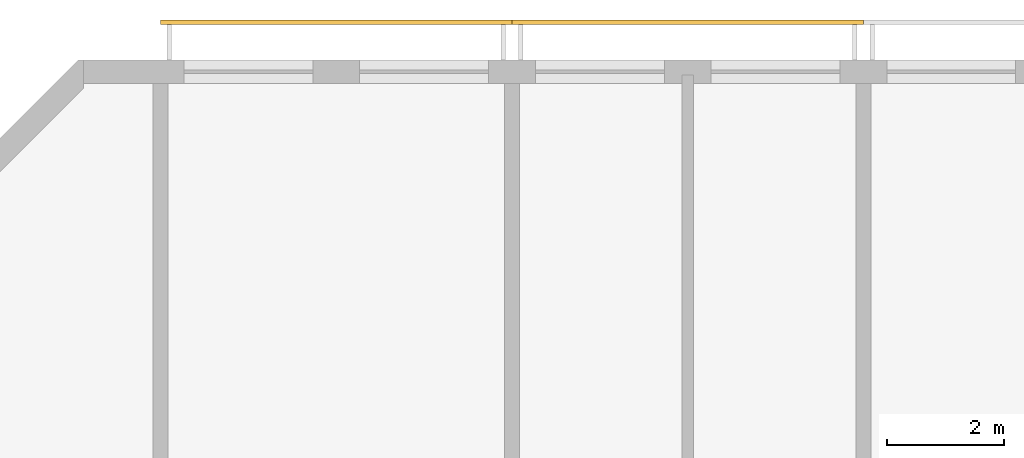
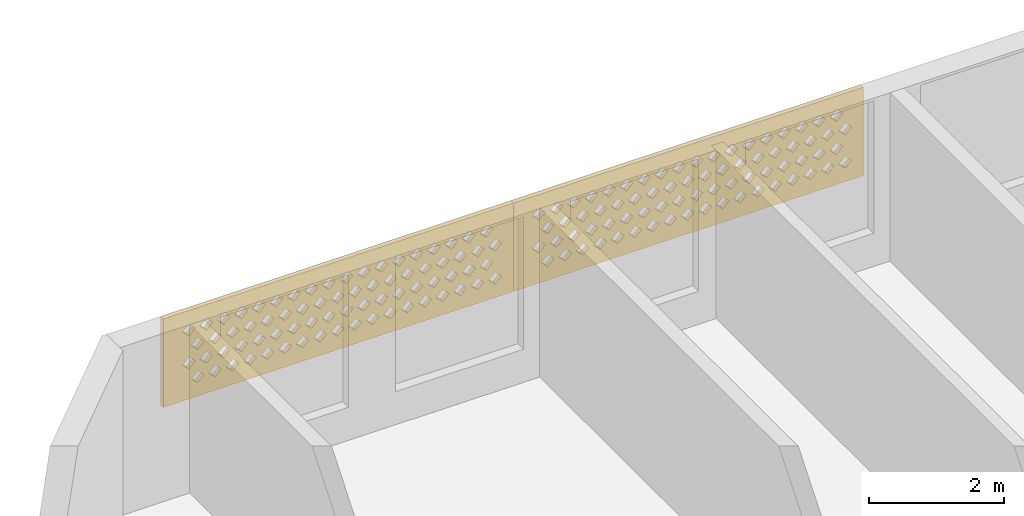
# One storey, part 13 of 18: 2 coverings.
"""IFC4 building model written with IfcOpenShell, lengths in metres."""

from ifc_helpers import new_model, si_unit, direction, frame, origin, place, context, subcontext, project, spatial, polyline, outline, extrude, source, transform, mapped, material, material_profile, profile_set, type_object, element, save


model = new_model("IFC4")

# Units and contexts
model_context = context("Model", 3, precision=1e-05, world=origin(), true_north=direction((0.0, 1.0)))
body_context = subcontext(model_context, "Body", "Model", "MODEL_VIEW")
ifc_project = project(units=[si_unit("LENGTHUNIT", "METRE"), si_unit("AREAUNIT", "SQUARE_METRE"), si_unit("VOLUMEUNIT", "CUBIC_METRE"), si_unit("PLANEANGLEUNIT", "RADIAN"), si_unit("MASSUNIT", "GRAM", prefix="KILO")], contexts=[model_context])

# Site, building, storey
site_placement = place(None, origin())
site = spatial("IfcSite", under=ifc_project, at=site_placement, CompositionType="ELEMENT")
building_placement = place(site_placement, origin())
building = spatial("IfcBuilding", under=site, at=building_placement, Name="Poui Terraces", CompositionType="ELEMENT")
storey_placement = place(building_placement, frame((0.0, 0.0, 275.699951171875)))
storey = spatial("IfcBuildingStorey", under=building, at=storey_placement, Name="L76 CROWN", CompositionType="ELEMENT", Elevation=275.699951171875)

# Coverings
ifc_material = material(Name="Terracotta screen", Category="masonry")
ifc_material_profile = material_profile(ifc_material, outline(polyline([(-3.0, -0.800048828125), (3.0, -0.800048828125), (3.0, 0.800048828125), (-3.0, 0.800048828125), (-3.0, -0.800048828125)]), holes=[polyline([(-2.800048828125, -0.449951171875), (-2.68994140625, -0.56005859375), (-2.580078125, -0.449951171875), (-2.68994140625, -0.340087890625), (-2.800048828125, -0.449951171875)]), polyline([(-2.5, -0.449951171875), (-2.389892578125, -0.56005859375), (-2.280029296875, -0.449951171875), (-2.389892578125, -0.340087890625), (-2.5, -0.449951171875)]), polyline([(-2.199951171875, -0.449951171875), (-2.090087890625, -0.56005859375), (-1.97998046875, -0.449951171875), (-2.090087890625, -0.340087890625), (-2.199951171875, -0.449951171875)]), polyline([(-1.89990234375, -0.449951171875), (-1.7900390625, -0.56005859375), (-1.679931640625, -0.449951171875), (-1.7900390625, -0.340087890625), (-1.89990234375, -0.449951171875)]), polyline([(-1.60009765625, -0.449951171875), (-1.489990234375, -0.56005859375), (-1.3798828125, -0.449951171875), (-1.489990234375, -0.340087890625), (-1.60009765625, -0.449951171875)]), polyline([(-1.300048828125, -0.449951171875), (-1.18994140625, -0.56005859375), (-1.080078125, -0.449951171875), (-1.18994140625, -0.340087890625), (-1.300048828125, -0.449951171875)]), polyline([(-1.0, -0.449951171875), (-0.889892578125, -0.56005859375), (-0.780029296875, -0.449951171875), (-0.889892578125, -0.340087890625), (-1.0, -0.449951171875)]), polyline([(-0.699951171875, -0.449951171875), (-0.590087890625, -0.56005859375), (-0.47998046875, -0.449951171875), (-0.590087890625, -0.340087890625), (-0.699951171875, -0.449951171875)]), polyline([(-0.39990234375, -0.449951171875), (-0.2900390625, -0.56005859375), (-0.179931640625, -0.449951171875), (-0.2900390625, -0.340087890625), (-0.39990234375, -0.449951171875)]), polyline([(-0.10009765625, -0.449951171875), (0.010009765625, -0.56005859375), (0.1201171875, -0.449951171875), (0.010009765625, -0.340087890625), (-0.10009765625, -0.449951171875)]), polyline([(0.199951171875, -0.449951171875), (0.31005859375, -0.56005859375), (0.419921875, -0.449951171875), (0.31005859375, -0.340087890625), (0.199951171875, -0.449951171875)]), polyline([(0.5, -0.449951171875), (0.610107421875, -0.56005859375), (0.719970703125, -0.449951171875), (0.610107421875, -0.340087890625), (0.5, -0.449951171875)]), polyline([(0.800048828125, -0.449951171875), (0.909912109375, -0.56005859375), (1.02001953125, -0.449951171875), (0.909912109375, -0.340087890625), (0.800048828125, -0.449951171875)]), polyline([(1.10009765625, -0.449951171875), (1.2099609375, -0.56005859375), (1.320068359375, -0.449951171875), (1.2099609375, -0.340087890625), (1.10009765625, -0.449951171875)]), polyline([(1.39990234375, -0.449951171875), (1.510009765625, -0.56005859375), (1.6201171875, -0.449951171875), (1.510009765625, -0.340087890625), (1.39990234375, -0.449951171875)]), polyline([(1.699951171875, -0.449951171875), (1.81005859375, -0.56005859375), (1.919921875, -0.449951171875), (1.81005859375, -0.340087890625), (1.699951171875, -0.449951171875)]), polyline([(2.0, -0.449951171875), (2.110107421875, -0.56005859375), (2.219970703125, -0.449951171875), (2.110107421875, -0.340087890625), (2.0, -0.449951171875)]), polyline([(2.300048828125, -0.449951171875), (2.409912109375, -0.56005859375), (2.52001953125, -0.449951171875), (2.409912109375, -0.340087890625), (2.300048828125, -0.449951171875)]), polyline([(-2.64990234375, -0.14990234375), (-2.5400390625, -0.260009765625), (-2.429931640625, -0.14990234375), (-2.5400390625, -0.0400390625), (-2.64990234375, -0.14990234375)]), polyline([(-2.35009765625, -0.14990234375), (-2.239990234375, -0.260009765625), (-2.1298828125, -0.14990234375), (-2.239990234375, -0.0400390625), (-2.35009765625, -0.14990234375)]), polyline([(-2.050048828125, -0.14990234375), (-1.93994140625, -0.260009765625), (-1.830078125, -0.14990234375), (-1.93994140625, -0.0400390625), (-2.050048828125, -0.14990234375)]), polyline([(-1.75, -0.14990234375), (-1.639892578125, -0.260009765625), (-1.530029296875, -0.14990234375), (-1.639892578125, -0.0400390625), (-1.75, -0.14990234375)]), polyline([(-1.449951171875, -0.14990234375), (-1.340087890625, -0.260009765625), (-1.22998046875, -0.14990234375), (-1.340087890625, -0.0400390625), (-1.449951171875, -0.14990234375)]), polyline([(-1.14990234375, -0.14990234375), (-1.0400390625, -0.260009765625), (-0.929931640625, -0.14990234375), (-1.0400390625, -0.0400390625), (-1.14990234375, -0.14990234375)]), polyline([(-0.85009765625, -0.14990234375), (-0.739990234375, -0.260009765625), (-0.6298828125, -0.14990234375), (-0.739990234375, -0.0400390625), (-0.85009765625, -0.14990234375)]), polyline([(-0.550048828125, -0.14990234375), (-0.43994140625, -0.260009765625), (-0.330078125, -0.14990234375), (-0.43994140625, -0.0400390625), (-0.550048828125, -0.14990234375)]), polyline([(-0.25, -0.14990234375), (-0.139892578125, -0.260009765625), (-0.030029296875, -0.14990234375), (-0.139892578125, -0.0400390625), (-0.25, -0.14990234375)]), polyline([(0.050048828125, -0.14990234375), (0.159912109375, -0.260009765625), (0.27001953125, -0.14990234375), (0.159912109375, -0.0400390625), (0.050048828125, -0.14990234375)]), polyline([(0.35009765625, -0.14990234375), (0.4599609375, -0.260009765625), (0.570068359375, -0.14990234375), (0.4599609375, -0.0400390625), (0.35009765625, -0.14990234375)]), polyline([(0.64990234375, -0.14990234375), (0.760009765625, -0.260009765625), (0.8701171875, -0.14990234375), (0.760009765625, -0.0400390625), (0.64990234375, -0.14990234375)]), polyline([(0.949951171875, -0.14990234375), (1.06005859375, -0.260009765625), (1.169921875, -0.14990234375), (1.06005859375, -0.0400390625), (0.949951171875, -0.14990234375)]), polyline([(1.25, -0.14990234375), (1.360107421875, -0.260009765625), (1.469970703125, -0.14990234375), (1.360107421875, -0.0400390625), (1.25, -0.14990234375)]), polyline([(1.550048828125, -0.14990234375), (1.659912109375, -0.260009765625), (1.77001953125, -0.14990234375), (1.659912109375, -0.0400390625), (1.550048828125, -0.14990234375)]), polyline([(1.85009765625, -0.14990234375), (1.9599609375, -0.260009765625), (2.070068359375, -0.14990234375), (1.9599609375, -0.0400390625), (1.85009765625, -0.14990234375)]), polyline([(2.14990234375, -0.14990234375), (2.260009765625, -0.260009765625), (2.3701171875, -0.14990234375), (2.260009765625, -0.0400390625), (2.14990234375, -0.14990234375)]), polyline([(2.449951171875, -0.14990234375), (2.56005859375, -0.260009765625), (2.669921875, -0.14990234375), (2.56005859375, -0.0400390625), (2.449951171875, -0.14990234375)]), polyline([(-2.800048828125, 0.14990234375), (-2.68994140625, 0.0400390625), (-2.580078125, 0.14990234375), (-2.68994140625, 0.260009765625), (-2.800048828125, 0.14990234375)]), polyline([(-2.5, 0.14990234375), (-2.389892578125, 0.0400390625), (-2.280029296875, 0.14990234375), (-2.389892578125, 0.260009765625), (-2.5, 0.14990234375)]), polyline([(-2.199951171875, 0.14990234375), (-2.090087890625, 0.0400390625), (-1.97998046875, 0.14990234375), (-2.090087890625, 0.260009765625), (-2.199951171875, 0.14990234375)]), polyline([(-1.89990234375, 0.14990234375), (-1.7900390625, 0.0400390625), (-1.679931640625, 0.14990234375), (-1.7900390625, 0.260009765625), (-1.89990234375, 0.14990234375)]), polyline([(-1.60009765625, 0.14990234375), (-1.489990234375, 0.0400390625), (-1.3798828125, 0.14990234375), (-1.489990234375, 0.260009765625), (-1.60009765625, 0.14990234375)]), polyline([(-1.300048828125, 0.14990234375), (-1.18994140625, 0.0400390625), (-1.080078125, 0.14990234375), (-1.18994140625, 0.260009765625), (-1.300048828125, 0.14990234375)]), polyline([(-1.0, 0.14990234375), (-0.889892578125, 0.0400390625), (-0.780029296875, 0.14990234375), (-0.889892578125, 0.260009765625), (-1.0, 0.14990234375)]), polyline([(-0.699951171875, 0.14990234375), (-0.590087890625, 0.0400390625), (-0.47998046875, 0.14990234375), (-0.590087890625, 0.260009765625), (-0.699951171875, 0.14990234375)]), polyline([(-0.39990234375, 0.14990234375), (-0.2900390625, 0.0400390625), (-0.179931640625, 0.14990234375), (-0.2900390625, 0.260009765625), (-0.39990234375, 0.14990234375)]), polyline([(-0.10009765625, 0.14990234375), (0.010009765625, 0.0400390625), (0.1201171875, 0.14990234375), (0.010009765625, 0.260009765625), (-0.10009765625, 0.14990234375)]), polyline([(0.199951171875, 0.14990234375), (0.31005859375, 0.0400390625), (0.419921875, 0.14990234375), (0.31005859375, 0.260009765625), (0.199951171875, 0.14990234375)]), polyline([(0.5, 0.14990234375), (0.610107421875, 0.0400390625), (0.719970703125, 0.14990234375), (0.610107421875, 0.260009765625), (0.5, 0.14990234375)]), polyline([(0.800048828125, 0.14990234375), (0.909912109375, 0.0400390625), (1.02001953125, 0.14990234375), (0.909912109375, 0.260009765625), (0.800048828125, 0.14990234375)]), polyline([(1.10009765625, 0.14990234375), (1.2099609375, 0.0400390625), (1.320068359375, 0.14990234375), (1.2099609375, 0.260009765625), (1.10009765625, 0.14990234375)]), polyline([(1.39990234375, 0.14990234375), (1.510009765625, 0.0400390625), (1.6201171875, 0.14990234375), (1.510009765625, 0.260009765625), (1.39990234375, 0.14990234375)]), polyline([(1.699951171875, 0.14990234375), (1.81005859375, 0.0400390625), (1.919921875, 0.14990234375), (1.81005859375, 0.260009765625), (1.699951171875, 0.14990234375)]), polyline([(2.0, 0.14990234375), (2.110107421875, 0.0400390625), (2.219970703125, 0.14990234375), (2.110107421875, 0.260009765625), (2.0, 0.14990234375)]), polyline([(2.300048828125, 0.14990234375), (2.409912109375, 0.0400390625), (2.52001953125, 0.14990234375), (2.409912109375, 0.260009765625), (2.300048828125, 0.14990234375)]), polyline([(-2.64990234375, 0.449951171875), (-2.5400390625, 0.340087890625), (-2.429931640625, 0.449951171875), (-2.5400390625, 0.56005859375), (-2.64990234375, 0.449951171875)]), polyline([(-2.35009765625, 0.449951171875), (-2.239990234375, 0.340087890625), (-2.1298828125, 0.449951171875), (-2.239990234375, 0.56005859375), (-2.35009765625, 0.449951171875)]), polyline([(-2.050048828125, 0.449951171875), (-1.93994140625, 0.340087890625), (-1.830078125, 0.449951171875), (-1.93994140625, 0.56005859375), (-2.050048828125, 0.449951171875)]), polyline([(-1.75, 0.449951171875), (-1.639892578125, 0.340087890625), (-1.530029296875, 0.449951171875), (-1.639892578125, 0.56005859375), (-1.75, 0.449951171875)]), polyline([(-1.449951171875, 0.449951171875), (-1.340087890625, 0.340087890625), (-1.22998046875, 0.449951171875), (-1.340087890625, 0.56005859375), (-1.449951171875, 0.449951171875)]), polyline([(-1.14990234375, 0.449951171875), (-1.0400390625, 0.340087890625), (-0.929931640625, 0.449951171875), (-1.0400390625, 0.56005859375), (-1.14990234375, 0.449951171875)]), polyline([(-0.85009765625, 0.449951171875), (-0.739990234375, 0.340087890625), (-0.6298828125, 0.449951171875), (-0.739990234375, 0.56005859375), (-0.85009765625, 0.449951171875)]), polyline([(-0.550048828125, 0.449951171875), (-0.43994140625, 0.340087890625), (-0.330078125, 0.449951171875), (-0.43994140625, 0.56005859375), (-0.550048828125, 0.449951171875)]), polyline([(-0.25, 0.449951171875), (-0.139892578125, 0.340087890625), (-0.030029296875, 0.449951171875), (-0.139892578125, 0.56005859375), (-0.25, 0.449951171875)]), polyline([(0.050048828125, 0.449951171875), (0.159912109375, 0.340087890625), (0.27001953125, 0.449951171875), (0.159912109375, 0.56005859375), (0.050048828125, 0.449951171875)]), polyline([(0.35009765625, 0.449951171875), (0.4599609375, 0.340087890625), (0.570068359375, 0.449951171875), (0.4599609375, 0.56005859375), (0.35009765625, 0.449951171875)]), polyline([(0.64990234375, 0.449951171875), (0.760009765625, 0.340087890625), (0.8701171875, 0.449951171875), (0.760009765625, 0.56005859375), (0.64990234375, 0.449951171875)]), polyline([(0.949951171875, 0.449951171875), (1.06005859375, 0.340087890625), (1.169921875, 0.449951171875), (1.06005859375, 0.56005859375), (0.949951171875, 0.449951171875)]), polyline([(1.25, 0.449951171875), (1.360107421875, 0.340087890625), (1.469970703125, 0.449951171875), (1.360107421875, 0.56005859375), (1.25, 0.449951171875)]), polyline([(1.550048828125, 0.449951171875), (1.659912109375, 0.340087890625), (1.77001953125, 0.449951171875), (1.659912109375, 0.56005859375), (1.550048828125, 0.449951171875)]), polyline([(1.85009765625, 0.449951171875), (1.9599609375, 0.340087890625), (2.070068359375, 0.449951171875), (1.9599609375, 0.56005859375), (1.85009765625, 0.449951171875)]), polyline([(2.14990234375, 0.449951171875), (2.260009765625, 0.340087890625), (2.3701171875, 0.449951171875), (2.260009765625, 0.56005859375), (2.14990234375, 0.449951171875)]), polyline([(2.449951171875, 0.449951171875), (2.56005859375, 0.340087890625), (2.669921875, 0.449951171875), (2.56005859375, 0.56005859375), (2.449951171875, 0.449951171875)])]), Name="TERRACOTTA SOLAR SCREEN 6000X1600")
ifc_profile_set = profile_set([ifc_material_profile], Name="Terracotta screen")
covering_type = type_object("IfcCoveringType", Name="TERRACOTTA SOLAR SCREEN 6000X1600", PredefinedType="CLADDING", material=ifc_profile_set)
shared_shape = source(origin(), body_context, "Body", "SweptSolid", [
    extrude(outline(polyline([(-3.0, -0.800048828125), (3.0, -0.800048828125), (3.0, 0.800048828125), (-3.0, 0.800048828125), (-3.0, -0.800048828125)]), holes=[polyline([(-2.800048828125, -0.449951171875), (-2.68994140625, -0.56005859375), (-2.580078125, -0.449951171875), (-2.68994140625, -0.340087890625), (-2.800048828125, -0.449951171875)]), polyline([(-2.5, -0.449951171875), (-2.389892578125, -0.56005859375), (-2.280029296875, -0.449951171875), (-2.389892578125, -0.340087890625), (-2.5, -0.449951171875)]), polyline([(-2.199951171875, -0.449951171875), (-2.090087890625, -0.56005859375), (-1.97998046875, -0.449951171875), (-2.090087890625, -0.340087890625), (-2.199951171875, -0.449951171875)]), polyline([(-1.89990234375, -0.449951171875), (-1.7900390625, -0.56005859375), (-1.679931640625, -0.449951171875), (-1.7900390625, -0.340087890625), (-1.89990234375, -0.449951171875)]), polyline([(-1.60009765625, -0.449951171875), (-1.489990234375, -0.56005859375), (-1.3798828125, -0.449951171875), (-1.489990234375, -0.340087890625), (-1.60009765625, -0.449951171875)]), polyline([(-1.300048828125, -0.449951171875), (-1.18994140625, -0.56005859375), (-1.080078125, -0.449951171875), (-1.18994140625, -0.340087890625), (-1.300048828125, -0.449951171875)]), polyline([(-1.0, -0.449951171875), (-0.889892578125, -0.56005859375), (-0.780029296875, -0.449951171875), (-0.889892578125, -0.340087890625), (-1.0, -0.449951171875)]), polyline([(-0.699951171875, -0.449951171875), (-0.590087890625, -0.56005859375), (-0.47998046875, -0.449951171875), (-0.590087890625, -0.340087890625), (-0.699951171875, -0.449951171875)]), polyline([(-0.39990234375, -0.449951171875), (-0.2900390625, -0.56005859375), (-0.179931640625, -0.449951171875), (-0.2900390625, -0.340087890625), (-0.39990234375, -0.449951171875)]), polyline([(-0.10009765625, -0.449951171875), (0.010009765625, -0.56005859375), (0.1201171875, -0.449951171875), (0.010009765625, -0.340087890625), (-0.10009765625, -0.449951171875)]), polyline([(0.199951171875, -0.449951171875), (0.31005859375, -0.56005859375), (0.419921875, -0.449951171875), (0.31005859375, -0.340087890625), (0.199951171875, -0.449951171875)]), polyline([(0.5, -0.449951171875), (0.610107421875, -0.56005859375), (0.719970703125, -0.449951171875), (0.610107421875, -0.340087890625), (0.5, -0.449951171875)]), polyline([(0.800048828125, -0.449951171875), (0.909912109375, -0.56005859375), (1.02001953125, -0.449951171875), (0.909912109375, -0.340087890625), (0.800048828125, -0.449951171875)]), polyline([(1.10009765625, -0.449951171875), (1.2099609375, -0.56005859375), (1.320068359375, -0.449951171875), (1.2099609375, -0.340087890625), (1.10009765625, -0.449951171875)]), polyline([(1.39990234375, -0.449951171875), (1.510009765625, -0.56005859375), (1.6201171875, -0.449951171875), (1.510009765625, -0.340087890625), (1.39990234375, -0.449951171875)]), polyline([(1.699951171875, -0.449951171875), (1.81005859375, -0.56005859375), (1.919921875, -0.449951171875), (1.81005859375, -0.340087890625), (1.699951171875, -0.449951171875)]), polyline([(2.0, -0.449951171875), (2.110107421875, -0.56005859375), (2.219970703125, -0.449951171875), (2.110107421875, -0.340087890625), (2.0, -0.449951171875)]), polyline([(2.300048828125, -0.449951171875), (2.409912109375, -0.56005859375), (2.52001953125, -0.449951171875), (2.409912109375, -0.340087890625), (2.300048828125, -0.449951171875)]), polyline([(-2.64990234375, -0.14990234375), (-2.5400390625, -0.260009765625), (-2.429931640625, -0.14990234375), (-2.5400390625, -0.0400390625), (-2.64990234375, -0.14990234375)]), polyline([(-2.35009765625, -0.14990234375), (-2.239990234375, -0.260009765625), (-2.1298828125, -0.14990234375), (-2.239990234375, -0.0400390625), (-2.35009765625, -0.14990234375)]), polyline([(-2.050048828125, -0.14990234375), (-1.93994140625, -0.260009765625), (-1.830078125, -0.14990234375), (-1.93994140625, -0.0400390625), (-2.050048828125, -0.14990234375)]), polyline([(-1.75, -0.14990234375), (-1.639892578125, -0.260009765625), (-1.530029296875, -0.14990234375), (-1.639892578125, -0.0400390625), (-1.75, -0.14990234375)]), polyline([(-1.449951171875, -0.14990234375), (-1.340087890625, -0.260009765625), (-1.22998046875, -0.14990234375), (-1.340087890625, -0.0400390625), (-1.449951171875, -0.14990234375)]), polyline([(-1.14990234375, -0.14990234375), (-1.0400390625, -0.260009765625), (-0.929931640625, -0.14990234375), (-1.0400390625, -0.0400390625), (-1.14990234375, -0.14990234375)]), polyline([(-0.85009765625, -0.14990234375), (-0.739990234375, -0.260009765625), (-0.6298828125, -0.14990234375), (-0.739990234375, -0.0400390625), (-0.85009765625, -0.14990234375)]), polyline([(-0.550048828125, -0.14990234375), (-0.43994140625, -0.260009765625), (-0.330078125, -0.14990234375), (-0.43994140625, -0.0400390625), (-0.550048828125, -0.14990234375)]), polyline([(-0.25, -0.14990234375), (-0.139892578125, -0.260009765625), (-0.030029296875, -0.14990234375), (-0.139892578125, -0.0400390625), (-0.25, -0.14990234375)]), polyline([(0.050048828125, -0.14990234375), (0.159912109375, -0.260009765625), (0.27001953125, -0.14990234375), (0.159912109375, -0.0400390625), (0.050048828125, -0.14990234375)]), polyline([(0.35009765625, -0.14990234375), (0.4599609375, -0.260009765625), (0.570068359375, -0.14990234375), (0.4599609375, -0.0400390625), (0.35009765625, -0.14990234375)]), polyline([(0.64990234375, -0.14990234375), (0.760009765625, -0.260009765625), (0.8701171875, -0.14990234375), (0.760009765625, -0.0400390625), (0.64990234375, -0.14990234375)]), polyline([(0.949951171875, -0.14990234375), (1.06005859375, -0.260009765625), (1.169921875, -0.14990234375), (1.06005859375, -0.0400390625), (0.949951171875, -0.14990234375)]), polyline([(1.25, -0.14990234375), (1.360107421875, -0.260009765625), (1.469970703125, -0.14990234375), (1.360107421875, -0.0400390625), (1.25, -0.14990234375)]), polyline([(1.550048828125, -0.14990234375), (1.659912109375, -0.260009765625), (1.77001953125, -0.14990234375), (1.659912109375, -0.0400390625), (1.550048828125, -0.14990234375)]), polyline([(1.85009765625, -0.14990234375), (1.9599609375, -0.260009765625), (2.070068359375, -0.14990234375), (1.9599609375, -0.0400390625), (1.85009765625, -0.14990234375)]), polyline([(2.14990234375, -0.14990234375), (2.260009765625, -0.260009765625), (2.3701171875, -0.14990234375), (2.260009765625, -0.0400390625), (2.14990234375, -0.14990234375)]), polyline([(2.449951171875, -0.14990234375), (2.56005859375, -0.260009765625), (2.669921875, -0.14990234375), (2.56005859375, -0.0400390625), (2.449951171875, -0.14990234375)]), polyline([(-2.800048828125, 0.14990234375), (-2.68994140625, 0.0400390625), (-2.580078125, 0.14990234375), (-2.68994140625, 0.260009765625), (-2.800048828125, 0.14990234375)]), polyline([(-2.5, 0.14990234375), (-2.389892578125, 0.0400390625), (-2.280029296875, 0.14990234375), (-2.389892578125, 0.260009765625), (-2.5, 0.14990234375)]), polyline([(-2.199951171875, 0.14990234375), (-2.090087890625, 0.0400390625), (-1.97998046875, 0.14990234375), (-2.090087890625, 0.260009765625), (-2.199951171875, 0.14990234375)]), polyline([(-1.89990234375, 0.14990234375), (-1.7900390625, 0.0400390625), (-1.679931640625, 0.14990234375), (-1.7900390625, 0.260009765625), (-1.89990234375, 0.14990234375)]), polyline([(-1.60009765625, 0.14990234375), (-1.489990234375, 0.0400390625), (-1.3798828125, 0.14990234375), (-1.489990234375, 0.260009765625), (-1.60009765625, 0.14990234375)]), polyline([(-1.300048828125, 0.14990234375), (-1.18994140625, 0.0400390625), (-1.080078125, 0.14990234375), (-1.18994140625, 0.260009765625), (-1.300048828125, 0.14990234375)]), polyline([(-1.0, 0.14990234375), (-0.889892578125, 0.0400390625), (-0.780029296875, 0.14990234375), (-0.889892578125, 0.260009765625), (-1.0, 0.14990234375)]), polyline([(-0.699951171875, 0.14990234375), (-0.590087890625, 0.0400390625), (-0.47998046875, 0.14990234375), (-0.590087890625, 0.260009765625), (-0.699951171875, 0.14990234375)]), polyline([(-0.39990234375, 0.14990234375), (-0.2900390625, 0.0400390625), (-0.179931640625, 0.14990234375), (-0.2900390625, 0.260009765625), (-0.39990234375, 0.14990234375)]), polyline([(-0.10009765625, 0.14990234375), (0.010009765625, 0.0400390625), (0.1201171875, 0.14990234375), (0.010009765625, 0.260009765625), (-0.10009765625, 0.14990234375)]), polyline([(0.199951171875, 0.14990234375), (0.31005859375, 0.0400390625), (0.419921875, 0.14990234375), (0.31005859375, 0.260009765625), (0.199951171875, 0.14990234375)]), polyline([(0.5, 0.14990234375), (0.610107421875, 0.0400390625), (0.719970703125, 0.14990234375), (0.610107421875, 0.260009765625), (0.5, 0.14990234375)]), polyline([(0.800048828125, 0.14990234375), (0.909912109375, 0.0400390625), (1.02001953125, 0.14990234375), (0.909912109375, 0.260009765625), (0.800048828125, 0.14990234375)]), polyline([(1.10009765625, 0.14990234375), (1.2099609375, 0.0400390625), (1.320068359375, 0.14990234375), (1.2099609375, 0.260009765625), (1.10009765625, 0.14990234375)]), polyline([(1.39990234375, 0.14990234375), (1.510009765625, 0.0400390625), (1.6201171875, 0.14990234375), (1.510009765625, 0.260009765625), (1.39990234375, 0.14990234375)]), polyline([(1.699951171875, 0.14990234375), (1.81005859375, 0.0400390625), (1.919921875, 0.14990234375), (1.81005859375, 0.260009765625), (1.699951171875, 0.14990234375)]), polyline([(2.0, 0.14990234375), (2.110107421875, 0.0400390625), (2.219970703125, 0.14990234375), (2.110107421875, 0.260009765625), (2.0, 0.14990234375)]), polyline([(2.300048828125, 0.14990234375), (2.409912109375, 0.0400390625), (2.52001953125, 0.14990234375), (2.409912109375, 0.260009765625), (2.300048828125, 0.14990234375)]), polyline([(-2.64990234375, 0.449951171875), (-2.5400390625, 0.340087890625), (-2.429931640625, 0.449951171875), (-2.5400390625, 0.56005859375), (-2.64990234375, 0.449951171875)]), polyline([(-2.35009765625, 0.449951171875), (-2.239990234375, 0.340087890625), (-2.1298828125, 0.449951171875), (-2.239990234375, 0.56005859375), (-2.35009765625, 0.449951171875)]), polyline([(-2.050048828125, 0.449951171875), (-1.93994140625, 0.340087890625), (-1.830078125, 0.449951171875), (-1.93994140625, 0.56005859375), (-2.050048828125, 0.449951171875)]), polyline([(-1.75, 0.449951171875), (-1.639892578125, 0.340087890625), (-1.530029296875, 0.449951171875), (-1.639892578125, 0.56005859375), (-1.75, 0.449951171875)]), polyline([(-1.449951171875, 0.449951171875), (-1.340087890625, 0.340087890625), (-1.22998046875, 0.449951171875), (-1.340087890625, 0.56005859375), (-1.449951171875, 0.449951171875)]), polyline([(-1.14990234375, 0.449951171875), (-1.0400390625, 0.340087890625), (-0.929931640625, 0.449951171875), (-1.0400390625, 0.56005859375), (-1.14990234375, 0.449951171875)]), polyline([(-0.85009765625, 0.449951171875), (-0.739990234375, 0.340087890625), (-0.6298828125, 0.449951171875), (-0.739990234375, 0.56005859375), (-0.85009765625, 0.449951171875)]), polyline([(-0.550048828125, 0.449951171875), (-0.43994140625, 0.340087890625), (-0.330078125, 0.449951171875), (-0.43994140625, 0.56005859375), (-0.550048828125, 0.449951171875)]), polyline([(-0.25, 0.449951171875), (-0.139892578125, 0.340087890625), (-0.030029296875, 0.449951171875), (-0.139892578125, 0.56005859375), (-0.25, 0.449951171875)]), polyline([(0.050048828125, 0.449951171875), (0.159912109375, 0.340087890625), (0.27001953125, 0.449951171875), (0.159912109375, 0.56005859375), (0.050048828125, 0.449951171875)]), polyline([(0.35009765625, 0.449951171875), (0.4599609375, 0.340087890625), (0.570068359375, 0.449951171875), (0.4599609375, 0.56005859375), (0.35009765625, 0.449951171875)]), polyline([(0.64990234375, 0.449951171875), (0.760009765625, 0.340087890625), (0.8701171875, 0.449951171875), (0.760009765625, 0.56005859375), (0.64990234375, 0.449951171875)]), polyline([(0.949951171875, 0.449951171875), (1.06005859375, 0.340087890625), (1.169921875, 0.449951171875), (1.06005859375, 0.56005859375), (0.949951171875, 0.449951171875)]), polyline([(1.25, 0.449951171875), (1.360107421875, 0.340087890625), (1.469970703125, 0.449951171875), (1.360107421875, 0.56005859375), (1.25, 0.449951171875)]), polyline([(1.550048828125, 0.449951171875), (1.659912109375, 0.340087890625), (1.77001953125, 0.449951171875), (1.659912109375, 0.56005859375), (1.550048828125, 0.449951171875)]), polyline([(1.85009765625, 0.449951171875), (1.9599609375, 0.340087890625), (2.070068359375, 0.449951171875), (1.9599609375, 0.56005859375), (1.85009765625, 0.449951171875)]), polyline([(2.14990234375, 0.449951171875), (2.260009765625, 0.340087890625), (2.3701171875, 0.449951171875), (2.260009765625, 0.56005859375), (2.14990234375, 0.449951171875)]), polyline([(2.449951171875, 0.449951171875), (2.56005859375, 0.340087890625), (2.669921875, 0.449951171875), (2.56005859375, 0.56005859375), (2.449951171875, 0.449951171875)])]), origin(), (0.0, 0.0, 1.0), 0.080078125),
])
for number, where, z_axis, x_axis, name in (
    (1, (27.0, 42.0, 1.699951171875), (0.0, 1.0, 0.0), (-1.0, 0.0, 0.0), "SOLAR SCREEN"),
    (2, (33.0, 42.0, 1.699951171875), (0.0, 1.0, 0.0), (-1.0, 0.0, 0.0), "SOLAR SCREEN"),
):
    element("IfcCovering", number, at=place(storey_placement, frame(where, z_axis=z_axis, x_axis=x_axis)), inside=storey, type_object=covering_type, Name=name, PredefinedType="CLADDING", context=body_context, shape_type="MappedRepresentation", body=[
        mapped(shared_shape, transform((0.0, 0.0, 0.0))),
    ])

save(model, "model.ifc")
